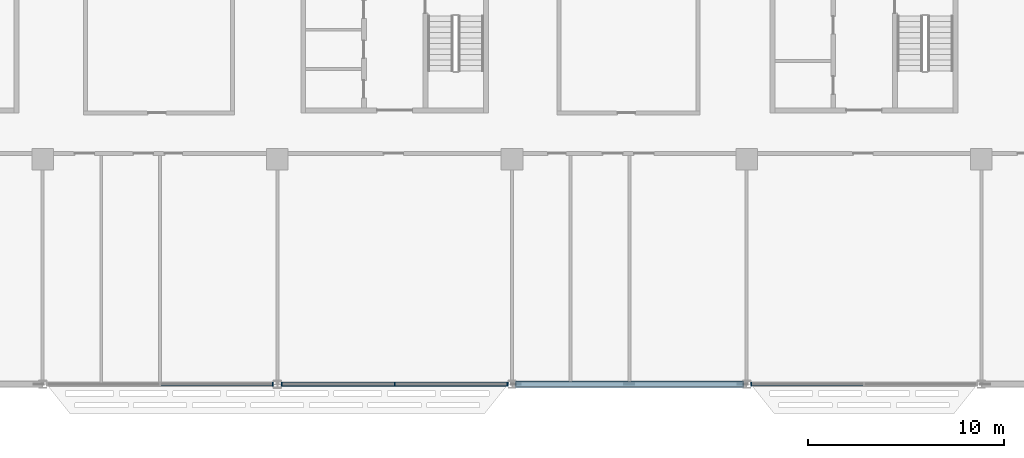
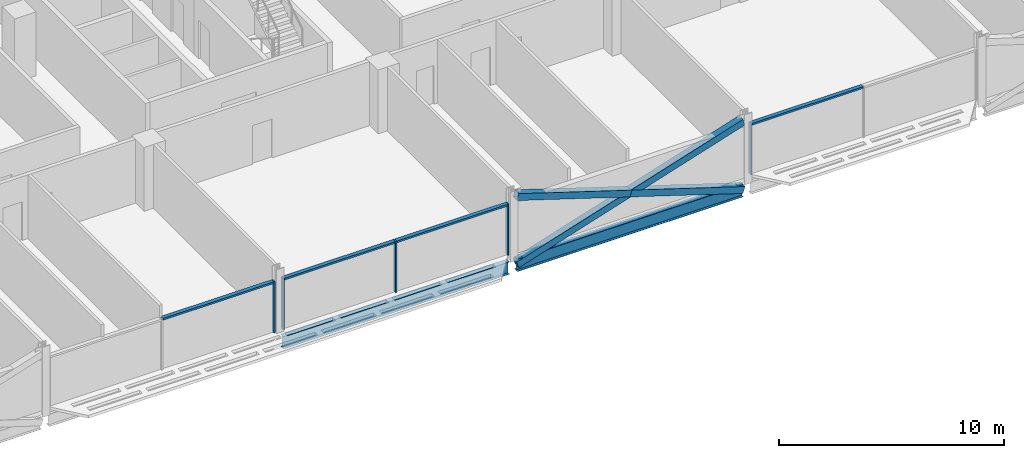
# One storey, part 6 of 30: 12 members, 2 beams, 3 elements without a shape of their own.
"""IFC4 building model written with IfcOpenShell, lengths in metres."""

from ifc_helpers import new_model, si_unit, direction, frame, origin, origin_2d, place, context, subcontext, project, spatial, rectangle, hollow_rectangle, i_section, extrude, material, material_profile, profile_set, type_object, element, aggregate, save


model = new_model("IFC4")

# Units and contexts
model_context = context("Model", 3, precision=1e-05, world=origin(), true_north=direction((0.0, 1.0)))
body_context = subcontext(model_context, "Body", "Model", "MODEL_VIEW")
ifc_project = project(units=[si_unit("LENGTHUNIT", "METRE"), si_unit("AREAUNIT", "SQUARE_METRE"), si_unit("VOLUMEUNIT", "CUBIC_METRE"), si_unit("PLANEANGLEUNIT", "RADIAN"), si_unit("MASSUNIT", "GRAM", prefix="KILO")], contexts=[model_context])

# Site, building, storey
site_placement = place(None, origin())
site = spatial("IfcSite", under=ifc_project, at=site_placement, CompositionType="ELEMENT")
building_placement = place(site_placement, origin())
building = spatial("IfcBuilding", under=site, at=building_placement, Name="Mahtab Terrace Research Tower", CompositionType="ELEMENT")
storey_placement = place(building_placement, frame((0.0, 0.0, 212.89990234375)))
storey = spatial("IfcBuildingStorey", under=building, at=storey_placement, Name="L51", CompositionType="ELEMENT", Elevation=212.89990234375)

# Members
ifc_material_1 = material(Name="Steel ASTM A500 Gr C", Category="steel")
ifc_material_profile_1 = material_profile(ifc_material_1, hollow_rectangle(XDim=0.355712890625, YDim=0.355712890625, WallThickness=0.015869140625, at=origin_2d()), Name="HSS14X14X5/8")
ifc_profile_set_1 = profile_set([ifc_material_profile_1], Name="Steel ASTM A500 Gr C")
member_type_1 = type_object("IfcMemberType", Name="HSS 14x14x5/8 brace XB141458", PredefinedType="BRACE", material=ifc_profile_set_1)
member_1_placement = place(storey_placement, frame((6.20068359375, -23.0, -0.615478515625), z_axis=(0.953343380425, 0.0, 0.301888057067), x_axis=(0.0, 1.0, 0.0)))
element("IfcMember", 1, at=member_1_placement, inside=storey, type_object=member_type_1, Name="Exoskeleton brace L51 17 a", PredefinedType="BRACE", context=body_context, shape_type="SweptSolid", body=[
    extrude(hollow_rectangle(XDim=0.355712890625, YDim=0.355712890625, WallThickness=0.015869140625, at=origin_2d()), origin(), (0.0, 0.0, 1.0), 12.166259765625),
])
for number, where, z_axis, x_axis, name in (
    (2, (17.79931640625, -23.0, -0.615478515625), (-0.953343380425, 0.0, 0.301888057067), (0.0, -1.0, 0.0), "Exoskeleton brace L51 17 b1"),
    (3, (12.0, -23.0, 1.220947265625), (-0.953343380425, 0.0, 0.301888057067), (0.0, -1.0, 0.0), "Exoskeleton brace L51 17 b2"),
):
    element("IfcMember", number, at=place(storey_placement, frame(where, z_axis=z_axis, x_axis=x_axis)), inside=storey, type_object=member_type_1, Name=name, PredefinedType="BRACE", context=body_context, shape_type="SweptSolid", body=[
        extrude(hollow_rectangle(XDim=0.355712890625, YDim=0.355712890625, WallThickness=0.015869140625, at=origin_2d()), origin(), (0.0, 0.0, 1.0), 6.083251953125),
    ])

# Curtain wall, member
ifc_material_2 = material(Name="Laboratory ribbon curtain wall")
curtain_wall_type = type_object("IfcCurtainWallType", Name="Laboratory ribbon curtain wall", PredefinedType="NOTDEFINED", material=ifc_material_2)
curtain_wall_1_placement = place(storey_placement, origin())
curtain_wall_1 = element("IfcCurtainWall", 4, at=curtain_wall_1_placement, inside=storey, type_object=curtain_wall_type, Name="EN.L51.13.25", PredefinedType="NOTDEFINED")
ifc_material_3 = material(Name="Natural anodised aluminium", Category="aluminium")
ifc_material_profile_2 = material_profile(ifc_material_3, rectangle(XDim=0.199951171875, YDim=0.06494140625, at=origin_2d()), Name="MULLION 65x200")
ifc_profile_set_2 = profile_set([ifc_material_profile_2], Name="Natural anodised aluminium")
member_type_2 = type_object("IfcMemberType", Name="Laboratory ribbon curtain wall mullion", PredefinedType="MULLION", material=ifc_profile_set_2)
member_2_placement = place(storey_placement, frame((-6.232421875, -23.0, 0.0), z_axis=(0.0, 0.0, 1.0), x_axis=(0.0, 1.0, 0.0)))
member_2 = element("IfcMember", 5, at=member_2_placement, type_object=member_type_2, Name="CWL-6 mullion 3", PredefinedType="MULLION", context=body_context, shape_type="SweptSolid", body=[
    extrude(rectangle(XDim=0.199951171875, YDim=0.06494140625, at=origin_2d()), origin(), (0.0, 0.0, 1.0), 2.781982421875),
])

# Curtain wall, members
curtain_wall_2_placement = place(storey_placement, origin())
curtain_wall_2 = element("IfcCurtainWall", 6, at=curtain_wall_2_placement, inside=storey, type_object=curtain_wall_type, Name="EN.L51.13.26", PredefinedType="NOTDEFINED")
member_3_placement = place(storey_placement, frame((-5.767578125, -23.0, 0.0), z_axis=(0.0, 0.0, 1.0), x_axis=(0.0, 1.0, 0.0)))
member_3 = element("IfcMember", 7, at=member_3_placement, type_object=member_type_2, Name="CWL-6 mullion 1", PredefinedType="MULLION", context=body_context, shape_type="SweptSolid", body=[
    extrude(rectangle(XDim=0.199951171875, YDim=0.06494140625, at=origin_2d()), origin(), (0.0, 0.0, 1.0), 2.781982421875),
])
member_4_placement = place(storey_placement, frame((0.0, -23.0, 0.0), z_axis=(0.0, 0.0, 1.0), x_axis=(0.0, 1.0, 0.0)))
member_4 = element("IfcMember", 8, at=member_4_placement, type_object=member_type_2, Name="CWL-6 mullion 2", PredefinedType="MULLION", context=body_context, shape_type="SweptSolid", body=[
    extrude(rectangle(XDim=0.199951171875, YDim=0.06494140625, at=origin_2d()), origin(), (0.0, 0.0, 1.0), 2.781982421875),
])
member_5_placement = place(storey_placement, frame((5.767578125, -23.0, 0.0), z_axis=(0.0, 0.0, 1.0), x_axis=(0.0, 1.0, 0.0)))
member_5 = element("IfcMember", 9, at=member_5_placement, type_object=member_type_2, Name="CWL-6 mullion 3", PredefinedType="MULLION", context=body_context, shape_type="SweptSolid", body=[
    extrude(rectangle(XDim=0.199951171875, YDim=0.06494140625, at=origin_2d()), origin(), (0.0, 0.0, 1.0), 2.781982421875),
])

# Curtain wall, member
curtain_wall_3_placement = place(storey_placement, origin())
curtain_wall_3 = element("IfcCurtainWall", 10, at=curtain_wall_3_placement, inside=storey, type_object=curtain_wall_type, Name="EN.L51.13.28", PredefinedType="NOTDEFINED")
member_6_placement = place(storey_placement, frame((18.232421875, -23.0, 0.0), z_axis=(0.0, 0.0, 1.0), x_axis=(0.0, 1.0, 0.0)))
member_6 = element("IfcMember", 11, at=member_6_placement, type_object=member_type_2, Name="CWL-6 mullion 1", PredefinedType="MULLION", context=body_context, shape_type="SweptSolid", body=[
    extrude(rectangle(XDim=0.199951171875, YDim=0.06494140625, at=origin_2d()), origin(), (0.0, 0.0, 1.0), 2.781982421875),
])

# Member
ifc_material_profile_3 = material_profile(ifc_material_3, rectangle(XDim=0.199951171875, YDim=0.10009765625, at=origin_2d()), Name="TRANSOM 100x200")
ifc_profile_set_3 = profile_set([ifc_material_profile_3], Name="Natural anodised aluminium")
member_type_3 = type_object("IfcMemberType", Name="Laboratory ribbon curtain wall transom", PredefinedType="USERDEFINED", material=ifc_profile_set_3)
member_7_placement = place(storey_placement, frame((-11.967529296875, -23.0, 2.73193359375), z_axis=(1.0, 0.0, 0.0), x_axis=(0.0, 1.0, 0.0)))
member_7 = element("IfcMember", 12, at=member_7_placement, type_object=member_type_3, Name="CWL-6 transom 2", ObjectType="TRANSOM", PredefinedType="USERDEFINED", context=body_context, shape_type="SweptSolid", body=[
    extrude(rectangle(XDim=0.199951171875, YDim=0.10009765625, at=origin_2d()), origin(), (0.0, 0.0, 1.0), 5.70263671875),
])

aggregate(curtain_wall_1, [member_2, member_7])

member_8_placement = place(storey_placement, frame((-5.735107421875, -23.0, 2.73193359375), z_axis=(1.0, 0.0, 0.0), x_axis=(0.0, 1.0, 0.0)))
member_8 = element("IfcMember", 13, at=member_8_placement, type_object=member_type_3, Name="CWL-6 transom 1", ObjectType="TRANSOM", PredefinedType="USERDEFINED", context=body_context, shape_type="SweptSolid", body=[
    extrude(rectangle(XDim=0.199951171875, YDim=0.10009765625, at=origin_2d()), origin(), (0.0, 0.0, 1.0), 5.70263671875),
])

member_9_placement = place(storey_placement, frame((0.032470703125, -23.0, 2.73193359375), z_axis=(1.0, 0.0, 0.0), x_axis=(0.0, 1.0, 0.0)))
member_9 = element("IfcMember", 14, at=member_9_placement, type_object=member_type_3, Name="CWL-6 transom 2", ObjectType="TRANSOM", PredefinedType="USERDEFINED", context=body_context, shape_type="SweptSolid", body=[
    extrude(rectangle(XDim=0.199951171875, YDim=0.10009765625, at=origin_2d()), origin(), (0.0, 0.0, 1.0), 5.70263671875),
])

aggregate(curtain_wall_2, [member_3, member_4, member_5, member_8, member_9])

member_10_placement = place(storey_placement, frame((18.264892578125, -23.0, 2.73193359375), z_axis=(1.0, 0.0, 0.0), x_axis=(0.0, 1.0, 0.0)))
member_10 = element("IfcMember", 15, at=member_10_placement, type_object=member_type_3, Name="CWL-6 transom 1", ObjectType="TRANSOM", PredefinedType="USERDEFINED", context=body_context, shape_type="SweptSolid", body=[
    extrude(rectangle(XDim=0.199951171875, YDim=0.10009765625, at=origin_2d()), origin(), (0.0, 0.0, 1.0), 5.70263671875),
])

aggregate(curtain_wall_3, [member_6, member_10])

# Beams
ifc_material_4 = material(Name="Steel ASTM A992 Gr 50", Category="steel")
ifc_material_profile_4 = material_profile(ifc_material_4, i_section(OverallWidth=0.25390625, OverallDepth=0.67822265625, WebThickness=0.01171875, FlangeThickness=0.016357421875, at=origin_2d()), Name="W27X84")
ifc_profile_set_4 = profile_set([ifc_material_profile_4], Name="Steel ASTM A992 Gr 50")
beam_type = type_object("IfcBeamType", Name="W27x84 beam BS2784", PredefinedType="BEAM", material=ifc_profile_set_4)
for number, where, z_axis, x_axis, name in (
    (16, (-5.79931640625, -23.0, -0.678955078125), (1.0, 0.0, 0.0), (0.0, 1.0, 0.0), "Spandrel beam L51 16"),
    (17, (6.20068359375, -23.0, -0.678955078125), (1.0, 0.0, 0.0), (0.0, 1.0, 0.0), "Spandrel beam L51 17"),
):
    element("IfcBeam", number, at=place(storey_placement, frame(where, z_axis=z_axis, x_axis=x_axis)), inside=storey, type_object=beam_type, Name=name, PredefinedType="BEAM", context=body_context, shape_type="SweptSolid", body=[
        extrude(i_section(OverallWidth=0.25390625, OverallDepth=0.67822265625, WebThickness=0.01171875, FlangeThickness=0.016357421875, at=origin_2d()), origin(), (0.0, 0.0, 1.0), 11.5986328125),
    ])

save(model, "model.ifc")
